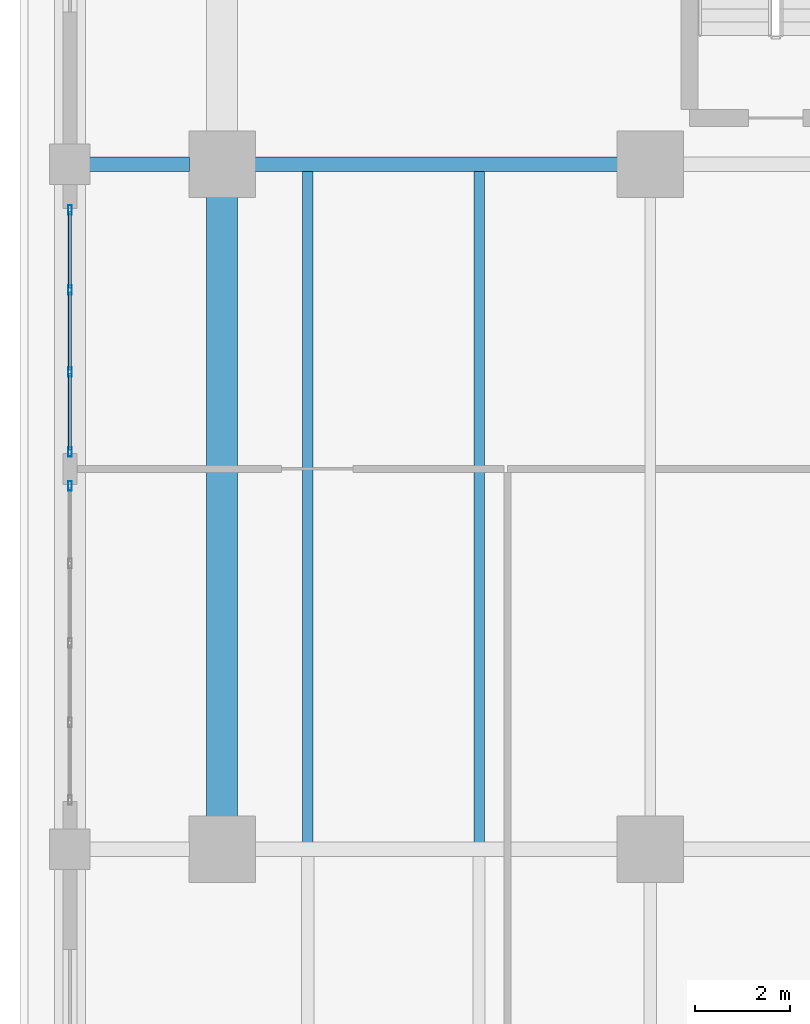
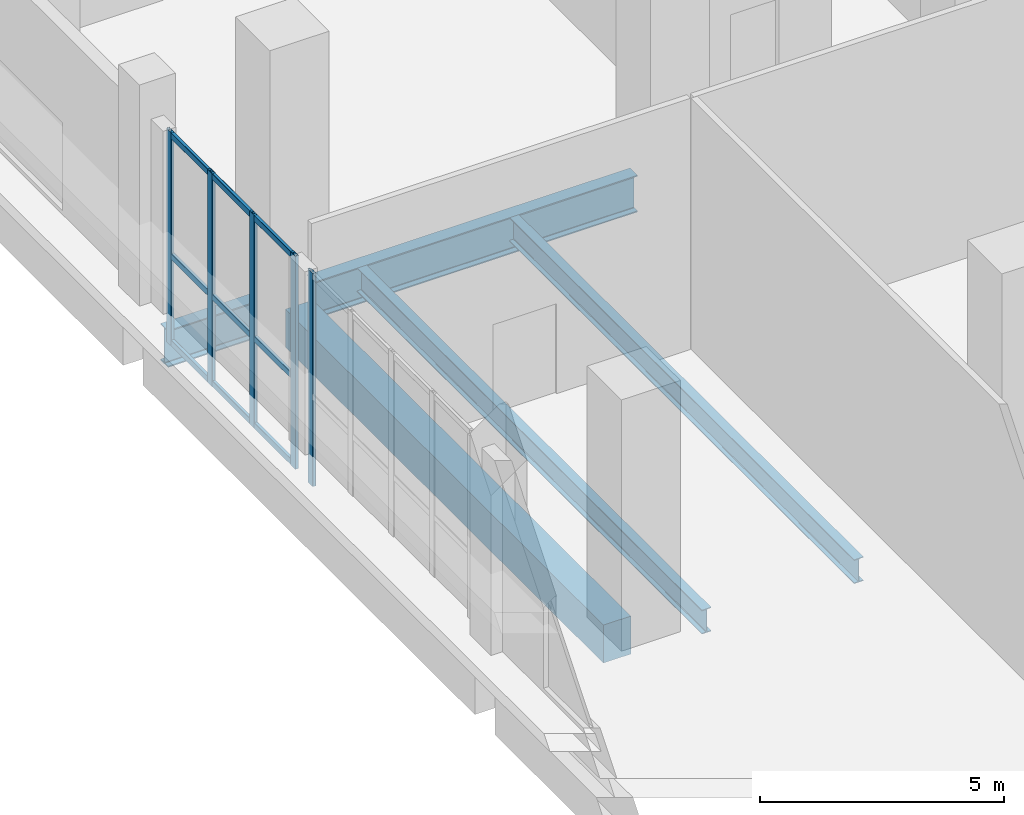
# One storey, part 9 of 29: 14 members, 5 beams, 2 elements without a shape of their own.
"""IFC4 building model written with IfcOpenShell, lengths in metres."""

from ifc_helpers import new_model, si_unit, direction, frame, origin, origin_2d, place, context, subcontext, project, spatial, rectangle, hollow_rectangle, i_section, extrude, material, layer, layer_set, material_profile, profile_set, type_object, element, aggregate, save


model = new_model("IFC4")

# Units and contexts
model_context = context("Model", 3, precision=1e-05, world=origin(), true_north=direction((0.0, 1.0)))
body_context = subcontext(model_context, "Body", "Model", "MODEL_VIEW")
ifc_project = project(units=[si_unit("LENGTHUNIT", "METRE"), si_unit("AREAUNIT", "SQUARE_METRE"), si_unit("VOLUMEUNIT", "CUBIC_METRE"), si_unit("PLANEANGLEUNIT", "RADIAN"), si_unit("MASSUNIT", "GRAM", prefix="KILO")], contexts=[model_context])

# Site, building, storey
site_placement = place(None, origin())
site = spatial("IfcSite", under=ifc_project, at=site_placement, CompositionType="ELEMENT")
building_placement = place(site_placement, origin())
building = spatial("IfcBuilding", under=site, at=building_placement, Name="Kaelvorn Grand Hotel", CompositionType="ELEMENT")
storey_placement = place(building_placement, frame((0.0, 0.0, 19.39990234375)))
storey = spatial("IfcBuildingStorey", under=building, at=storey_placement, Name="L03", CompositionType="ELEMENT", Elevation=19.39990234375)

# Beams
ifc_material_1 = material(Name="Steel S355", Category="steel")
ifc_material_profile_1 = material_profile(ifc_material_1, i_section(OverallWidth=0.305419921875, OverallDepth=0.91845703125, WebThickness=0.017333984375, FlangeThickness=0.02783203125, FilletRadius=0.01904296875, at=origin_2d()), Name="UB 914x305x253")
ifc_profile_set_1 = profile_set([ifc_material_profile_1], Name="Steel S355")
beam_type_1 = type_object("IfcBeamType", Name="BM-G-UB914-S355", PredefinedType="BEAM", material=ifc_profile_set_1)
beam_1_placement = place(storey_placement, frame((-2.7900390625, 29.39990234375, -0.779052734375), z_axis=(1.0, 0.0, 0.0), x_axis=(0.0, 1.0, 0.0)))
element("IfcBeam", 1, at=beam_1_placement, inside=storey, type_object=beam_type_1, Name="L03 West Core Wing Steel Girder G-29W 01", PredefinedType="BEAM", context=body_context, shape_type="SweptSolid", body=[
    extrude(i_section(OverallWidth=0.305419921875, OverallDepth=0.91845703125, WebThickness=0.017333984375, FlangeThickness=0.02783203125, FilletRadius=0.01904296875, at=origin_2d()), origin(), (0.0, 0.0, 1.0), 2.10498046875),
])
beam_2_placement = place(storey_placement, frame((0.68505859375, 29.39990234375, -0.779052734375), z_axis=(1.0, 0.0, 0.0), x_axis=(0.0, 1.0, 0.0)))
element("IfcBeam", 2, at=beam_2_placement, inside=storey, type_object=beam_type_1, Name="L03 West Core Wing Steel Girder G-29W 02", PredefinedType="BEAM", context=body_context, shape_type="SweptSolid", body=[
    extrude(i_section(OverallWidth=0.305419921875, OverallDepth=0.91845703125, WebThickness=0.017333984375, FlangeThickness=0.02783203125, FilletRadius=0.01904296875, at=origin_2d()), origin(), (0.0, 0.0, 1.0), 7.6298828125),
])
ifc_material_profile_2 = material_profile(ifc_material_1, i_section(OverallWidth=0.219970703125, OverallDepth=0.60009765625, WebThickness=0.011962890625, FlangeThickness=0.01904296875, FilletRadius=0.02392578125, at=origin_2d()), Name="IPE 600")
ifc_profile_set_2 = profile_set([ifc_material_profile_2], Name="Steel S355")
beam_type_2 = type_object("IfcBeamType", Name="BM-J-IPE600-S355", PredefinedType="JOIST", material=ifc_profile_set_2)
for number, where, z_axis, x_axis, name in (
    (3, (1.800048828125, 15.1376953125, -0.619873046875), (0.0, 1.0, 0.0), (-1.0, 0.0, 0.0), "L03 Composite Floor Joist JM-01"),
    (4, (5.39990234375, 15.1376953125, -0.619873046875), (0.0, 1.0, 0.0), (-1.0, 0.0, 0.0), "L03 Composite Floor Joist JM-02"),
):
    element("IfcBeam", number, at=place(storey_placement, frame(where, z_axis=z_axis, x_axis=x_axis)), inside=storey, type_object=beam_type_2, Name=name, PredefinedType="JOIST", context=body_context, shape_type="SweptSolid", body=[
        extrude(i_section(OverallWidth=0.219970703125, OverallDepth=0.60009765625, WebThickness=0.011962890625, FlangeThickness=0.01904296875, FilletRadius=0.02392578125, at=origin_2d()), origin(), (0.0, 0.0, 1.0), 14.12451171875),
    ])
ifc_material_2 = material(Name="Concrete C60/75", Category="concrete")
ifc_material_profile_3 = material_profile(ifc_material_2, rectangle(XDim=0.64990234375, YDim=0.949951171875, at=origin_2d()), Name="RC SPANDREL 650x950")
ifc_profile_set_3 = profile_set([ifc_material_profile_3], Name="Concrete C60/75")
beam_type_3 = type_object("IfcBeamType", Name="BM-SP-650x950-C60", PredefinedType="SPANDREL", material=ifc_profile_set_3)
beam_3_placement = place(storey_placement, frame((0.0, 15.68505859375, -0.794921875), z_axis=(0.0, 1.0, 0.0), x_axis=(-1.0, 0.0, 0.0)))
element("IfcBeam", 5, at=beam_3_placement, inside=storey, type_object=beam_type_3, Name="L03 Tower Wing Girder TW 01", PredefinedType="SPANDREL", context=body_context, shape_type="SweptSolid", body=[
    extrude(rectangle(XDim=0.64990234375, YDim=0.949951171875, at=origin_2d()), origin(), (0.0, 0.0, 1.0), 13.030029296875),
])

# Curtain wall, members
ifc_material_3 = material(Name="Anodised Aluminium", Category="aluminium")
ifc_layer = layer(ifc_material_3, 0.199951171875)
ifc_layer_set = layer_set([ifc_layer], Name="Anodised Aluminium")
curtain_wall_type = type_object("IfcCurtainWallType", Name="CW-SYS2", PredefinedType="NOTDEFINED", material=ifc_layer_set)
curtain_wall_1_placement = place(storey_placement, origin())
curtain_wall_1 = element("IfcCurtainWall", 6, at=curtain_wall_1_placement, inside=storey, type_object=curtain_wall_type, Name="L03 Unitised Curtain Wall CW2 (CW-L03-W-02)", PredefinedType="NOTDEFINED")
ifc_material_profile_4 = material_profile(ifc_material_3, hollow_rectangle(XDim=0.074951171875, YDim=0.199951171875, WallThickness=0.00390625, InnerFilletRadius=0.00390625, OuterFilletRadius=0.008056640625, at=origin_2d()), Name="ALU MULL 75x200")
ifc_profile_set_4 = profile_set([ifc_material_profile_4], Name="Anodised Aluminium")
member_type_1 = type_object("IfcMemberType", Name="CW-SYS2-MULL", PredefinedType="MULLION", material=ifc_profile_set_4)
member_1_placement = place(storey_placement, frame((-3.199951171875, 28.4423828125, 0.0), z_axis=(0.0, 0.0, 1.0), x_axis=(1.0, 0.0, 0.0)))
member_1 = element("IfcMember", 7, at=member_1_placement, type_object=member_type_1, Name="CW2 mullion 1", PredefinedType="MULLION", context=body_context, shape_type="SweptSolid", body=[
    extrude(hollow_rectangle(XDim=0.074951171875, YDim=0.199951171875, WallThickness=0.00390625, InnerFilletRadius=0.00390625, OuterFilletRadius=0.008056640625, at=origin_2d()), origin(), (0.0, 0.0, 1.0), 5.330078125),
])
member_2_placement = place(storey_placement, frame((-3.199951171875, 26.760009765625, 0.0), z_axis=(0.0, 0.0, 1.0), x_axis=(1.0, 0.0, 0.0)))
member_2 = element("IfcMember", 8, at=member_2_placement, type_object=member_type_1, Name="CW2 mullion 2", PredefinedType="MULLION", context=body_context, shape_type="SweptSolid", body=[
    extrude(hollow_rectangle(XDim=0.074951171875, YDim=0.199951171875, WallThickness=0.00390625, InnerFilletRadius=0.00390625, OuterFilletRadius=0.008056640625, at=origin_2d()), origin(), (0.0, 0.0, 1.0), 5.330078125),
])
member_3_placement = place(storey_placement, frame((-3.199951171875, 25.0400390625, 0.0), z_axis=(0.0, 0.0, 1.0), x_axis=(1.0, 0.0, 0.0)))
member_3 = element("IfcMember", 9, at=member_3_placement, type_object=member_type_1, Name="CW2 mullion 3", PredefinedType="MULLION", context=body_context, shape_type="SweptSolid", body=[
    extrude(hollow_rectangle(XDim=0.074951171875, YDim=0.199951171875, WallThickness=0.00390625, InnerFilletRadius=0.00390625, OuterFilletRadius=0.008056640625, at=origin_2d()), origin(), (0.0, 0.0, 1.0), 5.330078125),
])
member_4_placement = place(storey_placement, frame((-3.199951171875, 23.357421875, 0.0), z_axis=(0.0, 0.0, 1.0), x_axis=(1.0, 0.0, 0.0)))
member_4 = element("IfcMember", 10, at=member_4_placement, type_object=member_type_1, Name="CW2 mullion 4", PredefinedType="MULLION", context=body_context, shape_type="SweptSolid", body=[
    extrude(hollow_rectangle(XDim=0.074951171875, YDim=0.199951171875, WallThickness=0.00390625, InnerFilletRadius=0.00390625, OuterFilletRadius=0.008056640625, at=origin_2d()), origin(), (0.0, 0.0, 1.0), 5.330078125),
])

# Curtain wall, member
curtain_wall_2_placement = place(storey_placement, origin())
curtain_wall_2 = element("IfcCurtainWall", 11, at=curtain_wall_2_placement, inside=storey, type_object=curtain_wall_type, Name="L03 Unitised Curtain Wall CW2 (CW-L03-W-01)", PredefinedType="NOTDEFINED")
member_5_placement = place(storey_placement, frame((-3.199951171875, 22.642578125, 0.0), z_axis=(0.0, 0.0, 1.0), x_axis=(1.0, 0.0, 0.0)))
member_5 = element("IfcMember", 12, at=member_5_placement, type_object=member_type_1, Name="CW2 mullion 1", PredefinedType="MULLION", context=body_context, shape_type="SweptSolid", body=[
    extrude(hollow_rectangle(XDim=0.074951171875, YDim=0.199951171875, WallThickness=0.00390625, InnerFilletRadius=0.00390625, OuterFilletRadius=0.008056640625, at=origin_2d()), origin(), (0.0, 0.0, 1.0), 5.330078125),
])
aggregate(curtain_wall_2, [member_5])

# Member
ifc_material_profile_5 = material_profile(ifc_material_3, hollow_rectangle(XDim=0.074951171875, YDim=0.14990234375, WallThickness=0.00390625, InnerFilletRadius=0.00390625, OuterFilletRadius=0.008056640625, at=origin_2d()), Name="ALU TRAN 75x150")
ifc_profile_set_5 = profile_set([ifc_material_profile_5], Name="Anodised Aluminium")
member_type_2 = type_object("IfcMemberType", Name="CW-SYS2-TRAN", PredefinedType="NOTDEFINED", material=ifc_profile_set_5)
member_6_placement = place(storey_placement, frame((-3.199951171875, 28.405029296875, 0.0751953125), z_axis=(0.0, -1.0, 0.0), x_axis=(1.0, 0.0, 0.0)))
member_6 = element("IfcMember", 13, at=member_6_placement, type_object=member_type_2, Name="CW2 transom 1.1", ObjectType="TRANSOM", PredefinedType="USERDEFINED", context=body_context, shape_type="SweptSolid", body=[
    extrude(hollow_rectangle(XDim=0.074951171875, YDim=0.14990234375, WallThickness=0.00390625, InnerFilletRadius=0.00390625, OuterFilletRadius=0.008056640625, at=origin_2d()), origin(), (0.0, 0.0, 1.0), 1.607421875),
])

member_7_placement = place(storey_placement, frame((-3.199951171875, 28.405029296875, 2.23876953125), z_axis=(0.0, -1.0, 0.0), x_axis=(1.0, 0.0, 0.0)))
member_7 = element("IfcMember", 14, at=member_7_placement, type_object=member_type_2, Name="CW2 transom 1.2", ObjectType="TRANSOM", PredefinedType="USERDEFINED", context=body_context, shape_type="SweptSolid", body=[
    extrude(hollow_rectangle(XDim=0.074951171875, YDim=0.14990234375, WallThickness=0.00390625, InnerFilletRadius=0.00390625, OuterFilletRadius=0.008056640625, at=origin_2d()), origin(), (0.0, 0.0, 1.0), 1.607421875),
])

member_8_placement = place(storey_placement, frame((-3.199951171875, 28.405029296875, 5.255126953125), z_axis=(0.0, -1.0, 0.0), x_axis=(1.0, 0.0, 0.0)))
member_8 = element("IfcMember", 15, at=member_8_placement, type_object=member_type_2, Name="CW2 transom 1.3", ObjectType="TRANSOM", PredefinedType="USERDEFINED", context=body_context, shape_type="SweptSolid", body=[
    extrude(hollow_rectangle(XDim=0.074951171875, YDim=0.14990234375, WallThickness=0.00390625, InnerFilletRadius=0.00390625, OuterFilletRadius=0.008056640625, at=origin_2d()), origin(), (0.0, 0.0, 1.0), 1.607421875),
])

member_9_placement = place(storey_placement, frame((-3.199951171875, 26.722412109375, 0.0751953125), z_axis=(0.0, -1.0, 0.0), x_axis=(1.0, 0.0, 0.0)))
member_9 = element("IfcMember", 16, at=member_9_placement, type_object=member_type_2, Name="CW2 transom 2.1", ObjectType="TRANSOM", PredefinedType="USERDEFINED", context=body_context, shape_type="SweptSolid", body=[
    extrude(hollow_rectangle(XDim=0.074951171875, YDim=0.14990234375, WallThickness=0.00390625, InnerFilletRadius=0.00390625, OuterFilletRadius=0.008056640625, at=origin_2d()), origin(), (0.0, 0.0, 1.0), 1.64501953125),
])

member_10_placement = place(storey_placement, frame((-3.199951171875, 26.722412109375, 2.23876953125), z_axis=(0.0, -1.0, 0.0), x_axis=(1.0, 0.0, 0.0)))
member_10 = element("IfcMember", 17, at=member_10_placement, type_object=member_type_2, Name="CW2 transom 2.2", ObjectType="TRANSOM", PredefinedType="USERDEFINED", context=body_context, shape_type="SweptSolid", body=[
    extrude(hollow_rectangle(XDim=0.074951171875, YDim=0.14990234375, WallThickness=0.00390625, InnerFilletRadius=0.00390625, OuterFilletRadius=0.008056640625, at=origin_2d()), origin(), (0.0, 0.0, 1.0), 1.64501953125),
])

member_11_placement = place(storey_placement, frame((-3.199951171875, 26.722412109375, 5.255126953125), z_axis=(0.0, -1.0, 0.0), x_axis=(1.0, 0.0, 0.0)))
member_11 = element("IfcMember", 18, at=member_11_placement, type_object=member_type_2, Name="CW2 transom 2.3", ObjectType="TRANSOM", PredefinedType="USERDEFINED", context=body_context, shape_type="SweptSolid", body=[
    extrude(hollow_rectangle(XDim=0.074951171875, YDim=0.14990234375, WallThickness=0.00390625, InnerFilletRadius=0.00390625, OuterFilletRadius=0.008056640625, at=origin_2d()), origin(), (0.0, 0.0, 1.0), 1.64501953125),
])

member_12_placement = place(storey_placement, frame((-3.199951171875, 25.00244140625, 0.0751953125), z_axis=(0.0, -1.0, 0.0), x_axis=(1.0, 0.0, 0.0)))
member_12 = element("IfcMember", 19, at=member_12_placement, type_object=member_type_2, Name="CW2 transom 3.1", ObjectType="TRANSOM", PredefinedType="USERDEFINED", context=body_context, shape_type="SweptSolid", body=[
    extrude(hollow_rectangle(XDim=0.074951171875, YDim=0.14990234375, WallThickness=0.00390625, InnerFilletRadius=0.00390625, OuterFilletRadius=0.008056640625, at=origin_2d()), origin(), (0.0, 0.0, 1.0), 1.607421875),
])

member_13_placement = place(storey_placement, frame((-3.199951171875, 25.00244140625, 2.23876953125), z_axis=(0.0, -1.0, 0.0), x_axis=(1.0, 0.0, 0.0)))
member_13 = element("IfcMember", 20, at=member_13_placement, type_object=member_type_2, Name="CW2 transom 3.2", ObjectType="TRANSOM", PredefinedType="USERDEFINED", context=body_context, shape_type="SweptSolid", body=[
    extrude(hollow_rectangle(XDim=0.074951171875, YDim=0.14990234375, WallThickness=0.00390625, InnerFilletRadius=0.00390625, OuterFilletRadius=0.008056640625, at=origin_2d()), origin(), (0.0, 0.0, 1.0), 1.607421875),
])

member_14_placement = place(storey_placement, frame((-3.199951171875, 25.00244140625, 5.255126953125), z_axis=(0.0, -1.0, 0.0), x_axis=(1.0, 0.0, 0.0)))
member_14 = element("IfcMember", 21, at=member_14_placement, type_object=member_type_2, Name="CW2 transom 3.3", ObjectType="TRANSOM", PredefinedType="USERDEFINED", context=body_context, shape_type="SweptSolid", body=[
    extrude(hollow_rectangle(XDim=0.074951171875, YDim=0.14990234375, WallThickness=0.00390625, InnerFilletRadius=0.00390625, OuterFilletRadius=0.008056640625, at=origin_2d()), origin(), (0.0, 0.0, 1.0), 1.607421875),
])

aggregate(curtain_wall_1, [member_1, member_2, member_3, member_4, member_6, member_7, member_8, member_9, member_10, member_11, member_12, member_13, member_14])

save(model, "model.ifc")
